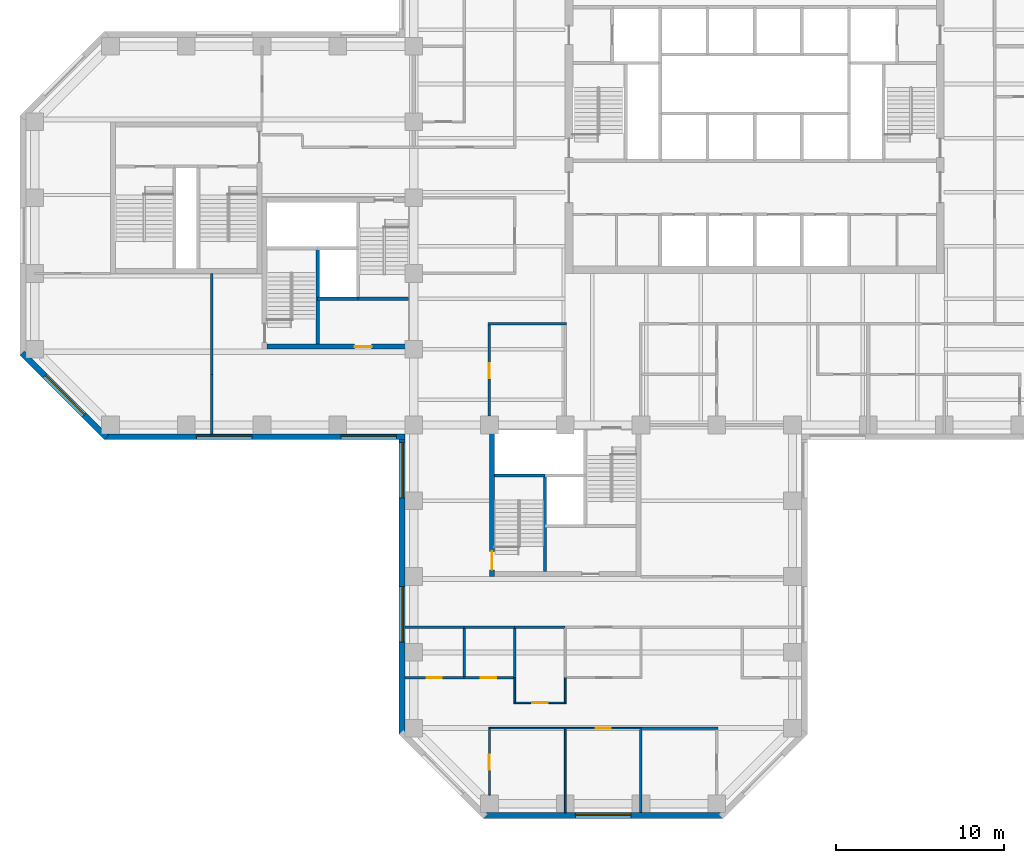
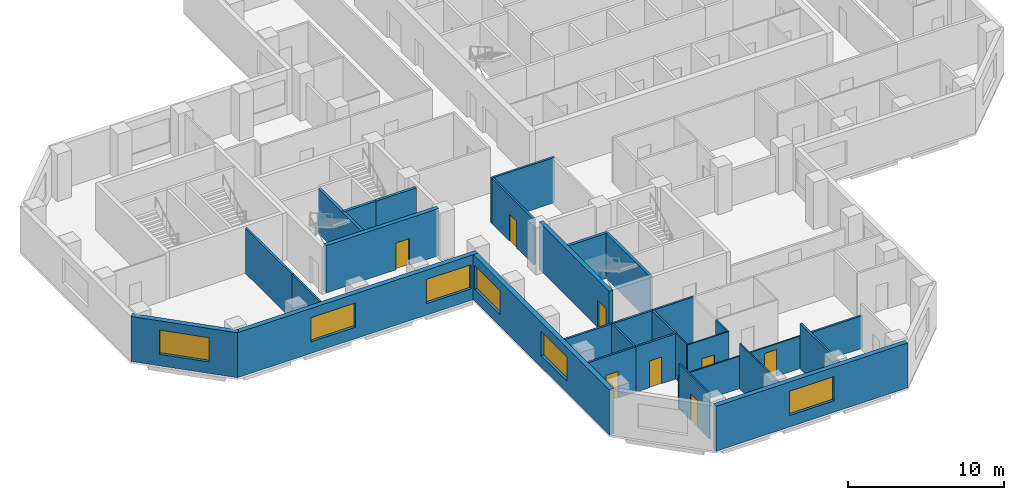
# One storey, part 3 of 11: 31 walls, 8 doors, 6 windows, 14 openings.
"""IFC4 building model written with IfcOpenShell, lengths in metres."""

from ifc_helpers import new_model, si_unit, direction, frame, frame_2d, origin, place, context, subcontext, project, spatial, rectangle, extrude, material, layer, layer_set, constituent, constituent_set, type_object, element, fill, save


model = new_model("IFC4")

# Units and contexts
model_context = context("Model", 3, precision=1e-05, world=origin(), true_north=direction((0.0, 1.0)))
body_context = subcontext(model_context, "Body", "Model", "MODEL_VIEW")
ifc_project = project(units=[si_unit("LENGTHUNIT", "METRE"), si_unit("AREAUNIT", "SQUARE_METRE"), si_unit("VOLUMEUNIT", "CUBIC_METRE"), si_unit("PLANEANGLEUNIT", "RADIAN"), si_unit("MASSUNIT", "GRAM", prefix="KILO")], contexts=[model_context])

# Site, building, storey
site_placement = place(None, origin())
site = spatial("IfcSite", under=ifc_project, at=site_placement, CompositionType="ELEMENT")
building_placement = place(site_placement, origin())
building = spatial("IfcBuilding", under=site, at=building_placement, Name="Quoin Convention Tower", CompositionType="ELEMENT")
storey_placement = place(building_placement, frame((0.0, 0.0, 130.699951171875)))
storey = spatial("IfcBuildingStorey", under=building, at=storey_placement, Name="L34", CompositionType="ELEMENT", Elevation=130.699951171875)

# Walls
ifc_material_1 = material(Name="Plasterboard")
ifc_layer_1 = layer(ifc_material_1, 0.012451171875, Name="Finish")
ifc_material_2 = material(Name="Steel stud framing", Category="steel")
ifc_layer_2 = layer(ifc_material_2, 0.125, Name="Structure")
ifc_layer_3 = layer(ifc_material_1, 0.012451171875, Name="Finish")
ifc_layer_set_1 = layer_set([ifc_layer_1, ifc_layer_2, ifc_layer_3], Name="Steel stud framing")
wall_type_1 = type_object("IfcWallType", Name="Acoustic partition 150", PredefinedType="PARTITIONING", material=ifc_layer_set_1)
wall_1_placement = place(storey_placement, frame((49.5, 17.47509765625, 0.0), z_axis=(0.0, 0.0, 1.0), x_axis=(0.0, 1.0, 0.0)))
element("IfcWall", 1, at=wall_1_placement, inside=storey, type_object=wall_type_1, Name="pw-L34-059", PredefinedType="PARTITIONING", context=body_context, shape_type="SweptSolid", body=[
    extrude(rectangle(XDim=4.949951171875, YDim=0.14990234375, at=frame_2d((2.47509765625, 0.0))), origin(), (0.0, 0.0, 1.0), 3.550048828125),
])
ifc_layer_4 = layer(ifc_material_1, 0.012451171875, Name="Finish")
ifc_layer_5 = layer(ifc_material_2, 0.125, Name="Structure")
ifc_layer_6 = layer(ifc_material_1, 0.012451171875, Name="Finish")
ifc_layer_set_2 = layer_set([ifc_layer_4, ifc_layer_5, ifc_layer_6], Name="Steel stud framing")
wall_type_2 = type_object("IfcWallType", Name="Acoustic partition 150 under beam 1000", PredefinedType="PARTITIONING", material=ifc_layer_set_2)
wall_2_placement = place(storey_placement, frame((49.5, 22.5, 0.0), z_axis=(0.0, 0.0, 1.0), x_axis=(1.0, 0.0, 0.0)))
element("IfcWall", 2, at=wall_2_placement, inside=storey, type_object=wall_type_2, Name="pw-L34-003", PredefinedType="PARTITIONING", context=body_context, shape_type="SweptSolid", body=[
    extrude(rectangle(XDim=4.574951171875, YDim=0.14990234375, at=frame_2d((2.28759765625, 0.0))), origin(), (0.0, 0.0, 1.0), 2.550048828125),
])

# Wall, opening, window
ifc_material_3 = material(Name="Brick masonry", Category="masonry")
ifc_layer_7 = layer(ifc_material_3, 0.35009765625)
ifc_layer_set_3 = layer_set([ifc_layer_7], Name="Brick masonry")
wall_type_3 = type_object("IfcWallType", Name="Brick facade wall", PredefinedType="STANDARD", material=ifc_layer_set_3)
wall_3_placement = place(storey_placement, frame((12.748779296875, 44.76123046875, 0.0), z_axis=(0.0, 0.0, 1.0), x_axis=(0.707106781187, -0.707106781187, 0.0)))
wall_3 = element("IfcWall", 3, at=wall_3_placement, inside=storey, type_object=wall_type_3, Name="fw-L34-13500_45000", PredefinedType="STANDARD", context=body_context, shape_type="SweptSolid", body=[
    extrude(rectangle(XDim=7.088623046875, YDim=0.35009765625, at=frame_2d((3.54443359375, 0.0))), origin(), (0.0, 0.0, 1.0), 3.525146484375),
])
opening_1_placement = place(wall_3_placement, frame((1.894287109375, 0.0, 0.89990234375)))
opening_1 = element("IfcOpeningElement", 4, at=opening_1_placement, cuts=wall_3, Name="Opening W-02", PredefinedType="OPENING", context=body_context, shape_type="SweptSolid", body=[
    extrude(rectangle(XDim=3.300048828125, YDim=1.89990234375, at=frame_2d((1.64990234375, 0.949951171875))), frame((0.0, 0.18505859375, 0.0), z_axis=(0.0, -1.0, 0.0), x_axis=(1.0, 0.0, 0.0)), (0.0, 0.0, 1.0), 0.3701171875),
])
ifc_material_4 = material(Name="Aluminium", Category="aluminium")
ifc_constituent_1 = constituent(ifc_material_4, Name="Frame")
ifc_material_5 = material(Name="Insulated glass", Category="glass")
ifc_constituent_2 = constituent(ifc_material_5, Name="Glazing")
ifc_constituent_set = constituent_set(constituents=[ifc_constituent_1, ifc_constituent_2], Name="Aluminium")
window_type = type_object("IfcWindowType", Name="Office window", PartitioningType="DOUBLE_PANEL_VERTICAL", PredefinedType="WINDOW", material=ifc_constituent_set)
window_1_placement = place(opening_1_placement, origin())
window_1 = element("IfcWindow", 5, at=window_1_placement, inside=storey, type_object=window_type, Name="win-L34-15255_42255", OverallHeight=1.89990234375, OverallWidth=3.300048828125, PartitioningType="SINGLE_PANEL", PredefinedType="WINDOW", context=body_context, shape_type="SweptSolid", body=[
    extrude(rectangle(XDim=3.300048828125, YDim=1.89990234375, at=frame_2d((1.64990234375, 0.949951171875))), frame((0.0, 0.0849609375, 0.0), z_axis=(0.0, -1.0, 0.0), x_axis=(1.0, 0.0, 0.0)), (0.0, 0.0, 1.0), 0.06005859375),
])
fill(opening_1, window_1)

# Wall, openings, windows
wall_4_placement = place(storey_placement, frame((17.6376953125, 39.800048828125, 0.0), z_axis=(0.0, 0.0, 1.0), x_axis=(1.0, 0.0, 0.0)))
wall_4 = element("IfcWall", 6, at=wall_4_placement, inside=storey, type_object=wall_type_3, Name="fw-L34-18000_40500", PredefinedType="STANDARD", context=body_context, shape_type="SweptSolid", body=[
    extrude(rectangle(XDim=17.83740234375, YDim=0.35009765625, at=frame_2d((8.918701171875, 0.0))), origin(), (0.0, 0.0, 1.0), 3.525146484375),
])
opening_2_placement = place(wall_4_placement, frame((5.46240234375, 0.0, 0.89990234375)))
opening_2 = element("IfcOpeningElement", 7, at=opening_2_placement, cuts=wall_4, Name="Opening W-02", PredefinedType="OPENING", context=body_context, shape_type="SweptSolid", body=[
    extrude(rectangle(XDim=3.300048828125, YDim=1.89990234375, at=frame_2d((1.64990234375, 0.949951171875))), frame((0.0, 0.18505859375, 0.0), z_axis=(0.0, -1.0, 0.0), x_axis=(1.0, 0.0, 0.0)), (0.0, 0.0, 1.0), 0.3701171875),
])
opening_3_placement = place(wall_4_placement, frame((14.037353515625, 0.0, 0.89990234375)))
opening_3 = element("IfcOpeningElement", 8, at=opening_3_placement, cuts=wall_4, Name="Opening W-02", PredefinedType="OPENING", context=body_context, shape_type="SweptSolid", body=[
    extrude(rectangle(XDim=3.300048828125, YDim=1.89990234375, at=frame_2d((1.64990234375, 0.949951171875))), frame((0.0, 0.18505859375, 0.0), z_axis=(0.0, -1.0, 0.0), x_axis=(1.0, 0.0, 0.0)), (0.0, 0.0, 1.0), 0.3701171875),
])
window_2_placement = place(opening_2_placement, origin())
window_2 = element("IfcWindow", 9, at=window_2_placement, inside=storey, type_object=window_type, Name="win-L34-24750_39800", OverallHeight=1.89990234375, OverallWidth=3.300048828125, PartitioningType="SINGLE_PANEL", PredefinedType="WINDOW", context=body_context, shape_type="SweptSolid", body=[
    extrude(rectangle(XDim=3.300048828125, YDim=1.89990234375, at=frame_2d((1.64990234375, 0.949951171875))), frame((0.0, 0.0849609375, 0.0), z_axis=(0.0, -1.0, 0.0), x_axis=(1.0, 0.0, 0.0)), (0.0, 0.0, 1.0), 0.06005859375),
])
fill(opening_2, window_2)
window_3_placement = place(opening_3_placement, origin())
window_3 = element("IfcWindow", 10, at=window_3_placement, inside=storey, type_object=window_type, Name="win-L34-33750_39800", OverallHeight=1.89990234375, OverallWidth=3.300048828125, PartitioningType="SINGLE_PANEL", PredefinedType="WINDOW", context=body_context, shape_type="SweptSolid", body=[
    extrude(rectangle(XDim=3.300048828125, YDim=1.89990234375, at=frame_2d((1.64990234375, 0.949951171875))), frame((0.0, 0.0849609375, 0.0), z_axis=(0.0, -1.0, 0.0), x_axis=(1.0, 0.0, 0.0)), (0.0, 0.0, 1.0), 0.06005859375),
])
fill(opening_3, window_3)

wall_5_placement = place(storey_placement, frame((35.300048828125, 39.97509765625, 0.0), z_axis=(0.0, 0.0, 1.0), x_axis=(0.0, -1.0, 0.0)))
wall_5 = element("IfcWall", 11, at=wall_5_placement, inside=storey, type_object=wall_type_3, Name="fw-L34-36000_40500", PredefinedType="STANDARD", context=body_context, shape_type="SweptSolid", body=[
    extrude(rectangle(XDim=17.83740234375, YDim=0.35009765625, at=frame_2d((8.918701171875, 0.0))), origin(), (0.0, 0.0, 1.0), 3.525146484375),
])
opening_4_placement = place(wall_5_placement, frame((0.5, 0.0, 0.89990234375)))
opening_4 = element("IfcOpeningElement", 12, at=opening_4_placement, cuts=wall_5, Name="Opening W-02", PredefinedType="OPENING", context=body_context, shape_type="SweptSolid", body=[
    extrude(rectangle(XDim=3.300048828125, YDim=1.89990234375, at=frame_2d((1.64990234375, 0.949951171875))), frame((0.0, 0.18505859375, 0.0), z_axis=(0.0, -1.0, 0.0), x_axis=(1.0, 0.0, 0.0)), (0.0, 0.0, 1.0), 0.3701171875),
])
opening_5_placement = place(wall_5_placement, frame((9.074951171875, 0.0, 0.89990234375)))
opening_5 = element("IfcOpeningElement", 13, at=opening_5_placement, cuts=wall_5, Name="Opening W-02", PredefinedType="OPENING", context=body_context, shape_type="SweptSolid", body=[
    extrude(rectangle(XDim=3.300048828125, YDim=1.89990234375, at=frame_2d((1.64990234375, 0.949951171875))), frame((0.0, 0.18505859375, 0.0), z_axis=(0.0, -1.0, 0.0), x_axis=(1.0, 0.0, 0.0)), (0.0, 0.0, 1.0), 0.3701171875),
])
window_4_placement = place(opening_4_placement, origin())
window_4 = element("IfcWindow", 14, at=window_4_placement, inside=storey, type_object=window_type, Name="win-L34-35300_38250", OverallHeight=1.89990234375, OverallWidth=3.300048828125, PartitioningType="SINGLE_PANEL", PredefinedType="WINDOW", context=body_context, shape_type="SweptSolid", body=[
    extrude(rectangle(XDim=3.300048828125, YDim=1.89990234375, at=frame_2d((1.64990234375, 0.949951171875))), frame((0.0, 0.0849609375, 0.0), z_axis=(0.0, -1.0, 0.0), x_axis=(1.0, 0.0, 0.0)), (0.0, 0.0, 1.0), 0.06005859375),
])
fill(opening_4, window_4)
window_5_placement = place(opening_5_placement, origin())
window_5 = element("IfcWindow", 15, at=window_5_placement, inside=storey, type_object=window_type, Name="win-L34-35300_29250", OverallHeight=1.89990234375, OverallWidth=3.300048828125, PartitioningType="SINGLE_PANEL", PredefinedType="WINDOW", context=body_context, shape_type="SweptSolid", body=[
    extrude(rectangle(XDim=3.300048828125, YDim=1.89990234375, at=frame_2d((1.64990234375, 0.949951171875))), frame((0.0, 0.0849609375, 0.0), z_axis=(0.0, -1.0, 0.0), x_axis=(1.0, 0.0, 0.0)), (0.0, 0.0, 1.0), 0.06005859375),
])
fill(opening_5, window_5)

# Wall, opening, window
wall_6_placement = place(storey_placement, frame((40.1376953125, 17.300048828125, 0.0), z_axis=(0.0, 0.0, 1.0), x_axis=(1.0, 0.0, 0.0)))
wall_6 = element("IfcWall", 16, at=wall_6_placement, inside=storey, type_object=wall_type_3, Name="fw-L34-40500_18000", PredefinedType="STANDARD", context=body_context, shape_type="SweptSolid", body=[
    extrude(rectangle(XDim=14.224609375, YDim=0.35009765625, at=frame_2d((7.1123046875, 0.0))), origin(), (0.0, 0.0, 1.0), 3.525146484375),
])
opening_6_placement = place(wall_6_placement, frame((5.46240234375, 0.0, 0.89990234375)))
opening_6 = element("IfcOpeningElement", 17, at=opening_6_placement, cuts=wall_6, Name="Opening W-02", PredefinedType="OPENING", context=body_context, shape_type="SweptSolid", body=[
    extrude(rectangle(XDim=3.300048828125, YDim=1.89990234375, at=frame_2d((1.64990234375, 0.949951171875))), frame((0.0, 0.18505859375, 0.0), z_axis=(0.0, -1.0, 0.0), x_axis=(1.0, 0.0, 0.0)), (0.0, 0.0, 1.0), 0.3701171875),
])
window_6_placement = place(opening_6_placement, origin())
window_6 = element("IfcWindow", 18, at=window_6_placement, inside=storey, type_object=window_type, Name="win-L34-47250_17300", OverallHeight=1.89990234375, OverallWidth=3.300048828125, PartitioningType="SINGLE_PANEL", PredefinedType="WINDOW", context=body_context, shape_type="SweptSolid", body=[
    extrude(rectangle(XDim=3.300048828125, YDim=1.89990234375, at=frame_2d((1.64990234375, 0.949951171875))), frame((0.0, 0.0849609375, 0.0), z_axis=(0.0, -1.0, 0.0), x_axis=(1.0, 0.0, 0.0)), (0.0, 0.0, 1.0), 0.06005859375),
])
fill(opening_6, window_6)

# Walls
ifc_material_6 = material(Name="Concrete C50", Category="concrete")
ifc_layer_8 = layer(ifc_material_6, 0.199951171875)
ifc_layer_set_4 = layer_set([ifc_layer_8], Name="Concrete C50")
wall_type_4 = type_object("IfcWallType", Name="Core shaft wall", PredefinedType="SOLIDWALL", material=ifc_layer_set_4)
wall_7_placement = place(storey_placement, frame((30.300048828125, 48.0, 0.0), z_axis=(0.0, 0.0, 1.0), x_axis=(1.0, 0.0, 0.0)))
element("IfcWall", 19, at=wall_7_placement, inside=storey, type_object=wall_type_4, Name="cr-P2-L34-h3000_3300", PredefinedType="SOLIDWALL", context=body_context, shape_type="SweptSolid", body=[
    extrude(rectangle(XDim=2.39990234375, YDim=0.199951171875, at=frame_2d((1.199951171875, 0.0))), origin(), (0.0, 0.0, 1.0), 3.550048828125),
])
wall_8_placement = place(storey_placement, frame((32.699951171875, 48.0, 0.0), z_axis=(0.0, 0.0, 1.0), x_axis=(1.0, 0.0, 0.0)))
element("IfcWall", 20, at=wall_8_placement, inside=storey, type_object=wall_type_4, Name="cr-P2-L34-h3000_5700", PredefinedType="SOLIDWALL", context=body_context, shape_type="SweptSolid", body=[
    extrude(rectangle(XDim=3.0, YDim=0.199951171875, at=frame_2d((1.5, 0.0))), origin(), (0.0, 0.0, 1.0), 3.550048828125),
])
wall_9_placement = place(storey_placement, frame((30.300048828125, 45.300048828125, 0.0), z_axis=(0.0, 0.0, 1.0), x_axis=(0.0, 1.0, 0.0)))
element("IfcWall", 21, at=wall_9_placement, inside=storey, type_object=wall_type_4, Name="cr-P2-L34-v3300_300", PredefinedType="SOLIDWALL", context=body_context, shape_type="SweptSolid", body=[
    extrude(rectangle(XDim=5.699951171875, YDim=0.199951171875, at=frame_2d((2.85009765625, 0.0))), origin(), (0.0, 0.0, 1.0), 3.550048828125),
])
wall_10_placement = place(storey_placement, frame((40.800048828125, 37.5, 0.0), z_axis=(0.0, 0.0, 1.0), x_axis=(1.0, 0.0, 0.0)))
element("IfcWall", 22, at=wall_10_placement, inside=storey, type_object=wall_type_4, Name="cr-P3-L34-h6000_300", PredefinedType="SOLIDWALL", context=body_context, shape_type="SweptSolid", body=[
    extrude(rectangle(XDim=3.0, YDim=0.199951171875, at=frame_2d((1.5, 0.0))), origin(), (0.0, 0.0, 1.0), 3.550048828125),
])
wall_11_placement = place(storey_placement, frame((43.800048828125, 31.800048828125, 0.0), z_axis=(0.0, 0.0, 1.0), x_axis=(0.0, 1.0, 0.0)))
element("IfcWall", 23, at=wall_11_placement, inside=storey, type_object=wall_type_4, Name="cr-P3-L34-v3300_300", PredefinedType="SOLIDWALL", context=body_context, shape_type="SweptSolid", body=[
    extrude(rectangle(XDim=5.699951171875, YDim=0.199951171875, at=frame_2d((2.85009765625, 0.0))), origin(), (0.0, 0.0, 1.0), 3.550048828125),
])
ifc_layer_9 = layer(ifc_material_1, 0.012451171875, Name="Finish")
ifc_layer_10 = layer(ifc_material_2, 0.125, Name="Structure")
ifc_layer_11 = layer(ifc_material_1, 0.012451171875, Name="Finish")
ifc_layer_set_5 = layer_set([ifc_layer_9, ifc_layer_10, ifc_layer_11], Name="Steel stud framing")
wall_type_5 = type_object("IfcWallType", Name="Corridor wall 150", PredefinedType="PARTITIONING", material=ifc_layer_set_5)
wall_12_placement = place(storey_placement, frame((35.47509765625, 28.5, 0.0), z_axis=(0.0, 0.0, 1.0), x_axis=(1.0, 0.0, 0.0)))
element("IfcWall", 24, at=wall_12_placement, inside=storey, type_object=wall_type_5, Name="pw-L34-009", PredefinedType="PARTITIONING", context=body_context, shape_type="SweptSolid", body=[
    extrude(rectangle(XDim=3.52490234375, YDim=0.14990234375, at=frame_2d((1.762451171875, 0.0))), origin(), (0.0, 0.0, 1.0), 3.550048828125),
])
for number, where, z_axis, x_axis, name in (
    (25, (39.0, 28.5, 0.0), (0.0, 0.0, 1.0), (1.0, 0.0, 0.0), "pw-L34-010"),
    (26, (42.0, 28.5, 0.0), (0.0, 0.0, 1.0), (1.0, 0.0, 0.0), "pw-L34-011"),
):
    element("IfcWall", number, at=place(storey_placement, frame(where, z_axis=z_axis, x_axis=x_axis)), inside=storey, type_object=wall_type_5, Name=name, PredefinedType="PARTITIONING", context=body_context, shape_type="SweptSolid", body=[
        extrude(rectangle(XDim=3.0, YDim=0.14990234375, at=frame_2d((1.5, 0.0))), origin(), (0.0, 0.0, 1.0), 3.550048828125),
    ])
wall_13_placement = place(storey_placement, frame((40.425048828125, 46.5, 0.0), z_axis=(0.0, 0.0, 1.0), x_axis=(1.0, 0.0, 0.0)))
element("IfcWall", 27, at=wall_13_placement, inside=storey, type_object=wall_type_5, Name="pw-L34-023", PredefinedType="PARTITIONING", context=body_context, shape_type="SweptSolid", body=[
    extrude(rectangle(XDim=4.64990234375, YDim=0.14990234375, at=frame_2d((2.324951171875, 0.0))), origin(), (0.0, 0.0, 1.0), 3.550048828125),
])
wall_14_placement = place(storey_placement, frame((24.0, 39.97509765625, 0.0), z_axis=(0.0, 0.0, 1.0), x_axis=(0.0, 1.0, 0.0)))
element("IfcWall", 28, at=wall_14_placement, inside=storey, type_object=wall_type_5, Name="pw-L34-070", PredefinedType="PARTITIONING", context=body_context, shape_type="SweptSolid", body=[
    extrude(rectangle(XDim=3.52490234375, YDim=0.14990234375, at=frame_2d((1.762451171875, 0.0))), origin(), (0.0, 0.0, 1.0), 3.550048828125),
])

# Wall, opening, door
wall_15_placement = place(storey_placement, frame((40.5, 41.02490234375, 0.0), z_axis=(0.0, 0.0, 1.0), x_axis=(0.0, 1.0, 0.0)))
wall_15 = element("IfcWall", 29, at=wall_15_placement, inside=storey, type_object=wall_type_5, Name="pw-L34-073", PredefinedType="PARTITIONING", context=body_context, shape_type="SweptSolid", body=[
    extrude(rectangle(XDim=5.400146484375, YDim=0.14990234375, at=frame_2d((2.7001953125, 0.0))), origin(), (0.0, 0.0, 1.0), 3.550048828125),
])
opening_7_placement = place(wall_15_placement, frame((2.25, 0.0, 0.0)))
opening_7 = element("IfcOpeningElement", 30, at=opening_7_placement, cuts=wall_15, Name="Opening DOL7-27", PredefinedType="OPENING", context=body_context, shape_type="SweptSolid", body=[
    extrude(rectangle(XDim=0.89990234375, YDim=2.10009765625, at=frame_2d((0.449951171875, 1.050048828125))), frame((0.0, 0.0849609375, 0.0), z_axis=(0.0, -1.0, 0.0), x_axis=(1.0, 0.0, 0.0)), (0.0, 0.0, 1.0), 0.169921875),
])
ifc_material_7 = material(Name="Steel door leaf", Category="steel")
door_type_1 = type_object("IfcDoorType", Name="Office door 900 x 2100", OperationType="SINGLE_SWING_RIGHT", PredefinedType="DOOR", material=ifc_material_7)
door_1_placement = place(opening_7_placement, frame((0.89990234375, 0.0, 0.0), z_axis=(0.0, 0.0, 1.0), x_axis=(-1.0, 0.0, 0.0)))
door_1 = element("IfcDoor", 31, at=door_1_placement, inside=storey, type_object=door_type_1, Name="dr-L34-02", OperationType="SINGLE_SWING_LEFT", OverallHeight=2.10009765625, OverallWidth=0.89990234375, PredefinedType="DOOR", context=body_context, shape_type="SweptSolid", body=[
    extrude(rectangle(XDim=0.89990234375, YDim=2.10009765625, at=frame_2d((0.449951171875, 1.050048828125))), frame((0.0, 0.02490234375, 0.0), z_axis=(0.0, -1.0, 0.0), x_axis=(1.0, 0.0, 0.0)), (0.0, 0.0, 1.0), 0.050048828125),
])
fill(opening_7, door_1)

# Wall
wall_16_placement = place(storey_placement, frame((24.0, 43.5, 0.0), z_axis=(0.0, 0.0, 1.0), x_axis=(0.0, 1.0, 0.0)))
element("IfcWall", 32, at=wall_16_placement, inside=storey, type_object=wall_type_5, Name="pw-L34-078", PredefinedType="PARTITIONING", context=body_context, shape_type="SweptSolid", body=[
    extrude(rectangle(XDim=6.0, YDim=0.14990234375, at=frame_2d((3.0, 0.0))), origin(), (0.0, 0.0, 1.0), 3.550048828125),
])

# Wall, opening, door
ifc_material_8 = material(Name="Concrete C65", Category="concrete")
ifc_layer_12 = layer(ifc_material_8, 0.300048828125)
ifc_layer_set_6 = layer_set([ifc_layer_12], Name="Concrete C65")
wall_type_6 = type_object("IfcWallType", Name="RC CORE WALL 300 C65", PredefinedType="SHEAR", material=ifc_layer_set_6)
wall_17_placement = place(storey_placement, frame((27.300048828125, 45.14990234375, 0.0), z_axis=(0.0, 0.0, 1.0), x_axis=(1.0, 0.0, 0.0)))
wall_17 = element("IfcWall", 33, at=wall_17_placement, inside=storey, type_object=wall_type_6, Name="cwl-P2-L34-S", PredefinedType="SHEAR", context=body_context, shape_type="SweptSolid", body=[
    extrude(rectangle(XDim=8.39990234375, YDim=0.300048828125, at=frame_2d((4.199951171875, 0.0))), origin(), (0.0, 0.0, 1.0), 3.699951171875),
])
opening_8_placement = place(wall_17_placement, frame((5.199951171875, 0.0, 0.0)))
opening_8 = element("IfcOpeningElement", 34, at=opening_8_placement, cuts=wall_17, Name="Opening DCV0-60", PredefinedType="OPENING", context=body_context, shape_type="SweptSolid", body=[
    extrude(rectangle(XDim=1.0, YDim=2.10009765625, at=frame_2d((0.5, 1.050048828125))), frame((0.0, 0.159912109375, 0.0), z_axis=(0.0, -1.0, 0.0), x_axis=(1.0, 0.0, 0.0)), (0.0, 0.0, 1.0), 0.320068359375),
])
door_type_2 = type_object("IfcDoorType", Name="Service door 1000 x 2100", OperationType="SINGLE_SWING_LEFT", PredefinedType="DOOR", material=ifc_material_7)
door_2_placement = place(opening_8_placement, origin())
door_2 = element("IfcDoor", 35, at=door_2_placement, inside=storey, type_object=door_type_2, Name="cd-P2-L34-R2-S", OperationType="SINGLE_SWING_LEFT", OverallHeight=2.10009765625, OverallWidth=1.0, PredefinedType="DOOR", context=body_context, shape_type="SweptSolid", body=[
    extrude(rectangle(XDim=1.0, YDim=2.10009765625, at=frame_2d((0.5, 1.050048828125))), frame((0.0, 0.02490234375, 0.0), z_axis=(0.0, -1.0, 0.0), x_axis=(1.0, 0.0, 0.0)), (0.0, 0.0, 1.0), 0.050048828125),
])
fill(opening_8, door_2)

wall_18_placement = place(storey_placement, frame((40.64990234375, 31.5, 0.0), z_axis=(0.0, 0.0, 1.0), x_axis=(0.0, 1.0, 0.0)))
wall_18 = element("IfcWall", 36, at=wall_18_placement, inside=storey, type_object=wall_type_6, Name="cwl-P3-L34-W", PredefinedType="SHEAR", context=body_context, shape_type="SweptSolid", body=[
    extrude(rectangle(XDim=9.0, YDim=0.300048828125, at=frame_2d((4.5, 0.0))), origin(), (0.0, 0.0, 1.0), 3.699951171875),
])
opening_9_placement = place(wall_18_placement, frame((0.39990234375, 0.0, 0.0)))
opening_9 = element("IfcOpeningElement", 37, at=opening_9_placement, cuts=wall_18, Name="Opening SD5", PredefinedType="OPENING", context=body_context, shape_type="SweptSolid", body=[
    extrude(rectangle(XDim=1.10009765625, YDim=2.10009765625, at=frame_2d((0.550048828125, 1.050048828125))), frame((0.0, 0.159912109375, 0.0), z_axis=(0.0, -1.0, 0.0), x_axis=(1.0, 0.0, 0.0)), (0.0, 0.0, 1.0), 0.320068359375),
])
door_type_3 = type_object("IfcDoorType", Name="Stair door 1100 x 2100", OperationType="SINGLE_SWING_RIGHT", PredefinedType="DOOR", material=ifc_material_7)
door_3_placement = place(opening_9_placement, frame((1.10009765625, 0.0, 0.0), z_axis=(0.0, 0.0, 1.0), x_axis=(-1.0, 0.0, 0.0)))
door_3 = element("IfcDoor", 38, at=door_3_placement, inside=storey, type_object=door_type_3, Name="cd-P3-L34-SA-W", OperationType="SINGLE_SWING_RIGHT", OverallHeight=2.10009765625, OverallWidth=1.10009765625, PredefinedType="DOOR", context=body_context, shape_type="SweptSolid", body=[
    extrude(rectangle(XDim=1.10009765625, YDim=2.10009765625, at=frame_2d((0.550048828125, 1.050048828125))), frame((0.0, 0.02490234375, 0.0), z_axis=(0.0, -1.0, 0.0), x_axis=(1.0, 0.0, 0.0)), (0.0, 0.0, 1.0), 0.050048828125),
])
fill(opening_9, door_3)

ifc_layer_13 = layer(ifc_material_1, 0.012451171875, Name="Finish")
ifc_layer_14 = layer(ifc_material_2, 0.074951171875, Name="Structure")
ifc_layer_15 = layer(ifc_material_1, 0.012451171875, Name="Finish")
ifc_layer_set_7 = layer_set([ifc_layer_13, ifc_layer_14, ifc_layer_15], Name="Steel stud framing")
wall_type_7 = type_object("IfcWallType", Name="Stud partition 100", PredefinedType="PARTITIONING", material=ifc_layer_set_7)
wall_19_placement = place(storey_placement, frame((41.949951171875, 24.0, 0.0), z_axis=(0.0, 0.0, 1.0), x_axis=(1.0, 0.0, 0.0)))
wall_19 = element("IfcWall", 39, at=wall_19_placement, inside=storey, type_object=wall_type_7, Name="pw-L34-004", PredefinedType="PARTITIONING", context=body_context, shape_type="SweptSolid", body=[
    extrude(rectangle(XDim=3.10009765625, YDim=0.10009765625, at=frame_2d((1.550048828125, 0.0))), origin(), (0.0, 0.0, 1.0), 3.550048828125),
])
opening_10_placement = place(wall_19_placement, frame((1.10009765625, 0.0, 0.0)))
opening_10 = element("IfcOpeningElement", 40, at=opening_10_placement, cuts=wall_19, Name="Opening DOL7-02", PredefinedType="OPENING", context=body_context, shape_type="SweptSolid", body=[
    extrude(rectangle(XDim=0.89990234375, YDim=2.10009765625, at=frame_2d((0.449951171875, 1.050048828125))), frame((0.0, 0.06005859375, 0.0), z_axis=(0.0, -1.0, 0.0), x_axis=(1.0, 0.0, 0.0)), (0.0, 0.0, 1.0), 0.1201171875),
])
door_4_placement = place(opening_10_placement, frame((0.89990234375, 0.0, 0.0), z_axis=(0.0, 0.0, 1.0), x_axis=(-1.0, 0.0, 0.0)))
door_4 = element("IfcDoor", 41, at=door_4_placement, inside=storey, type_object=door_type_1, Name="dr-L34-15", OperationType="SINGLE_SWING_LEFT", OverallHeight=2.10009765625, OverallWidth=0.89990234375, PredefinedType="DOOR", context=body_context, shape_type="SweptSolid", body=[
    extrude(rectangle(XDim=0.89990234375, YDim=2.10009765625, at=frame_2d((0.449951171875, 1.050048828125))), frame((0.0, 0.02490234375, 0.0), z_axis=(0.0, -1.0, 0.0), x_axis=(1.0, 0.0, 0.0)), (0.0, 0.0, 1.0), 0.050048828125),
])
fill(opening_10, door_4)

# Wall
wall_20_placement = place(storey_placement, frame((45.0, 17.47509765625, 0.0), z_axis=(0.0, 0.0, 1.0), x_axis=(0.0, 1.0, 0.0)))
element("IfcWall", 42, at=wall_20_placement, inside=storey, type_object=wall_type_7, Name="pw-L34-058", PredefinedType="PARTITIONING", context=body_context, shape_type="SweptSolid", body=[
    extrude(rectangle(XDim=4.974853515625, YDim=0.10009765625, at=frame_2d((2.4873046875, 0.0))), origin(), (0.0, 0.0, 1.0), 3.550048828125),
])

# Wall, opening, door
wall_21_placement = place(storey_placement, frame((40.5, 18.52490234375, 0.0), z_axis=(0.0, 0.0, 1.0), x_axis=(0.0, 1.0, 0.0)))
wall_21 = element("IfcWall", 43, at=wall_21_placement, inside=storey, type_object=wall_type_7, Name="pw-L34-060", PredefinedType="PARTITIONING", context=body_context, shape_type="SweptSolid", body=[
    extrude(rectangle(XDim=3.925048828125, YDim=0.10009765625, at=frame_2d((1.96240234375, 0.0))), origin(), (0.0, 0.0, 1.0), 3.550048828125),
])
opening_11_placement = place(wall_21_placement, frame((1.5, 0.0, 0.0)))
opening_11 = element("IfcOpeningElement", 44, at=opening_11_placement, cuts=wall_21, Name="Opening DOL7-25", PredefinedType="OPENING", context=body_context, shape_type="SweptSolid", body=[
    extrude(rectangle(XDim=0.89990234375, YDim=2.10009765625, at=frame_2d((0.449951171875, 1.050048828125))), frame((0.0, 0.06005859375, 0.0), z_axis=(0.0, -1.0, 0.0), x_axis=(1.0, 0.0, 0.0)), (0.0, 0.0, 1.0), 0.1201171875),
])
door_5_placement = place(opening_11_placement, origin())
door_5 = element("IfcDoor", 45, at=door_5_placement, inside=storey, type_object=door_type_1, Name="dr-L34-11", OperationType="SINGLE_SWING_RIGHT", OverallHeight=2.10009765625, OverallWidth=0.89990234375, PredefinedType="DOOR", context=body_context, shape_type="SweptSolid", body=[
    extrude(rectangle(XDim=0.89990234375, YDim=2.10009765625, at=frame_2d((0.449951171875, 1.050048828125))), frame((0.0, 0.02490234375, 0.0), z_axis=(0.0, -1.0, 0.0), x_axis=(1.0, 0.0, 0.0)), (0.0, 0.0, 1.0), 0.050048828125),
])
fill(opening_11, door_5)

# Walls
for number, where, z_axis, x_axis, name in (
    (46, (42.0, 24.050048828125, 0.0), (0.0, 0.0, 1.0), (0.0, 1.0, 0.0), "pw-L34-062"),
    (47, (45.0, 24.050048828125, 0.0), (0.0, 0.0, 1.0), (0.0, 1.0, 0.0), "pw-L34-063"),
):
    element("IfcWall", number, at=place(storey_placement, frame(where, z_axis=z_axis, x_axis=x_axis)), inside=storey, type_object=wall_type_7, Name=name, PredefinedType="PARTITIONING", context=body_context, shape_type="SweptSolid", body=[
        extrude(rectangle(XDim=1.449951171875, YDim=0.10009765625, at=frame_2d((0.72509765625, 0.0))), origin(), (0.0, 0.0, 1.0), 3.550048828125),
    ])
ifc_layer_16 = layer(ifc_material_1, 0.012451171875, Name="Finish")
ifc_layer_17 = layer(ifc_material_2, 0.074951171875, Name="Structure")
ifc_layer_18 = layer(ifc_material_1, 0.012451171875, Name="Finish")
ifc_layer_set_8 = layer_set([ifc_layer_16, ifc_layer_17, ifc_layer_18], Name="Steel stud framing")
wall_type_8 = type_object("IfcWallType", Name="Stud partition 100 under beam 1000", PredefinedType="PARTITIONING", material=ifc_layer_set_8)
wall_22_placement = place(storey_placement, frame((40.449951171875, 22.5, 0.0), z_axis=(0.0, 0.0, 1.0), x_axis=(1.0, 0.0, 0.0)))
element("IfcWall", 48, at=wall_22_placement, inside=storey, type_object=wall_type_8, Name="pw-L34-001", PredefinedType="PARTITIONING", context=body_context, shape_type="SweptSolid", body=[
    extrude(rectangle(XDim=4.550048828125, YDim=0.10009765625, at=frame_2d((2.27490234375, 0.0))), origin(), (0.0, 0.0, 1.0), 2.550048828125),
])

# Wall, opening, door
wall_23_placement = place(storey_placement, frame((45.0, 22.5, 0.0), z_axis=(0.0, 0.0, 1.0), x_axis=(1.0, 0.0, 0.0)))
wall_23 = element("IfcWall", 49, at=wall_23_placement, inside=storey, type_object=wall_type_8, Name="pw-L34-002", PredefinedType="PARTITIONING", context=body_context, shape_type="SweptSolid", body=[
    extrude(rectangle(XDim=4.5, YDim=0.10009765625, at=frame_2d((2.25, 0.0))), origin(), (0.0, 0.0, 1.0), 2.550048828125),
])
opening_12_placement = place(wall_23_placement, frame((1.800048828125, 0.0, 0.0)))
opening_12 = element("IfcOpeningElement", 50, at=opening_12_placement, cuts=wall_23, Name="Opening DOL7-01", PredefinedType="OPENING", context=body_context, shape_type="SweptSolid", body=[
    extrude(rectangle(XDim=0.89990234375, YDim=2.10009765625, at=frame_2d((0.449951171875, 1.050048828125))), frame((0.0, 0.06005859375, 0.0), z_axis=(0.0, -1.0, 0.0), x_axis=(1.0, 0.0, 0.0)), (0.0, 0.0, 1.0), 0.1201171875),
])
door_6_placement = place(opening_12_placement, origin())
door_6 = element("IfcDoor", 51, at=door_6_placement, inside=storey, type_object=door_type_1, Name="dr-L34-12", OperationType="SINGLE_SWING_RIGHT", OverallHeight=2.10009765625, OverallWidth=0.89990234375, PredefinedType="DOOR", context=body_context, shape_type="SweptSolid", body=[
    extrude(rectangle(XDim=0.89990234375, YDim=2.10009765625, at=frame_2d((0.449951171875, 1.050048828125))), frame((0.0, 0.02490234375, 0.0), z_axis=(0.0, -1.0, 0.0), x_axis=(1.0, 0.0, 0.0)), (0.0, 0.0, 1.0), 0.050048828125),
])
fill(opening_12, door_6)

ifc_layer_19 = layer(ifc_material_1, 0.012451171875, Name="Finish")
ifc_layer_20 = layer(ifc_material_2, 0.125, Name="Structure")
ifc_layer_21 = layer(ifc_material_1, 0.012451171875, Name="Finish")
ifc_layer_set_9 = layer_set([ifc_layer_19, ifc_layer_20, ifc_layer_21], Name="Steel stud framing")
wall_type_9 = type_object("IfcWallType", Name="Wet area partition 150", PredefinedType="PARTITIONING", material=ifc_layer_set_9)
wall_24_placement = place(storey_placement, frame((35.47509765625, 25.5, 0.0), z_axis=(0.0, 0.0, 1.0), x_axis=(1.0, 0.0, 0.0)))
wall_24 = element("IfcWall", 52, at=wall_24_placement, inside=storey, type_object=wall_type_9, Name="pw-L34-005", PredefinedType="PARTITIONING", context=body_context, shape_type="SweptSolid", body=[
    extrude(rectangle(XDim=3.52490234375, YDim=0.14990234375, at=frame_2d((1.762451171875, 0.0))), origin(), (0.0, 0.0, 1.0), 3.550048828125),
])
opening_13_placement = place(wall_24_placement, frame((1.300048828125, 0.0, 0.0)))
opening_13 = element("IfcOpeningElement", 53, at=opening_13_placement, cuts=wall_24, Name="Opening DOL7-03", PredefinedType="OPENING", context=body_context, shape_type="SweptSolid", body=[
    extrude(rectangle(XDim=0.89990234375, YDim=2.10009765625, at=frame_2d((0.449951171875, 1.050048828125))), frame((0.0, 0.0849609375, 0.0), z_axis=(0.0, -1.0, 0.0), x_axis=(1.0, 0.0, 0.0)), (0.0, 0.0, 1.0), 0.169921875),
])
door_7_placement = place(opening_13_placement, frame((0.89990234375, 0.0, 0.0), z_axis=(0.0, 0.0, 1.0), x_axis=(-1.0, 0.0, 0.0)))
door_7 = element("IfcDoor", 54, at=door_7_placement, inside=storey, type_object=door_type_1, Name="dr-L34-16", OperationType="SINGLE_SWING_LEFT", OverallHeight=2.10009765625, OverallWidth=0.89990234375, PredefinedType="DOOR", context=body_context, shape_type="SweptSolid", body=[
    extrude(rectangle(XDim=0.89990234375, YDim=2.10009765625, at=frame_2d((0.449951171875, 1.050048828125))), frame((0.0, 0.02490234375, 0.0), z_axis=(0.0, -1.0, 0.0), x_axis=(1.0, 0.0, 0.0)), (0.0, 0.0, 1.0), 0.050048828125),
])
fill(opening_13, door_7)

wall_25_placement = place(storey_placement, frame((39.0, 25.5, 0.0), z_axis=(0.0, 0.0, 1.0), x_axis=(1.0, 0.0, 0.0)))
wall_25 = element("IfcWall", 55, at=wall_25_placement, inside=storey, type_object=wall_type_9, Name="pw-L34-006", PredefinedType="PARTITIONING", context=body_context, shape_type="SweptSolid", body=[
    extrude(rectangle(XDim=2.925048828125, YDim=0.14990234375, at=frame_2d((1.46240234375, 0.0))), origin(), (0.0, 0.0, 1.0), 3.550048828125),
])
opening_14_placement = place(wall_25_placement, frame((1.0, 0.0, 0.0)))
opening_14 = element("IfcOpeningElement", 56, at=opening_14_placement, cuts=wall_25, Name="Opening DOL7-04", PredefinedType="OPENING", context=body_context, shape_type="SweptSolid", body=[
    extrude(rectangle(XDim=0.89990234375, YDim=2.10009765625, at=frame_2d((0.449951171875, 1.050048828125))), frame((0.0, 0.0849609375, 0.0), z_axis=(0.0, -1.0, 0.0), x_axis=(1.0, 0.0, 0.0)), (0.0, 0.0, 1.0), 0.169921875),
])
door_8_placement = place(opening_14_placement, frame((0.89990234375, 0.0, 0.0), z_axis=(0.0, 0.0, 1.0), x_axis=(-1.0, 0.0, 0.0)))
door_8 = element("IfcDoor", 57, at=door_8_placement, inside=storey, type_object=door_type_1, Name="dr-L34-10", OperationType="SINGLE_SWING_LEFT", OverallHeight=2.10009765625, OverallWidth=0.89990234375, PredefinedType="DOOR", context=body_context, shape_type="SweptSolid", body=[
    extrude(rectangle(XDim=0.89990234375, YDim=2.10009765625, at=frame_2d((0.449951171875, 1.050048828125))), frame((0.0, 0.02490234375, 0.0), z_axis=(0.0, -1.0, 0.0), x_axis=(1.0, 0.0, 0.0)), (0.0, 0.0, 1.0), 0.050048828125),
])
fill(opening_14, door_8)

# Walls
wall_26_placement = place(storey_placement, frame((42.0, 25.5, 0.0), z_axis=(0.0, 0.0, 1.0), x_axis=(0.0, 1.0, 0.0)))
element("IfcWall", 58, at=wall_26_placement, inside=storey, type_object=wall_type_9, Name="pw-L34-064", PredefinedType="PARTITIONING", context=body_context, shape_type="SweptSolid", body=[
    extrude(rectangle(XDim=2.925048828125, YDim=0.14990234375, at=frame_2d((1.46240234375, 0.0))), origin(), (0.0, 0.0, 1.0), 3.550048828125),
])
wall_27_placement = place(storey_placement, frame((39.0, 25.574951171875, 0.0), z_axis=(0.0, 0.0, 1.0), x_axis=(0.0, 1.0, 0.0)))
element("IfcWall", 59, at=wall_27_placement, inside=storey, type_object=wall_type_9, Name="pw-L34-067", PredefinedType="PARTITIONING", context=body_context, shape_type="SweptSolid", body=[
    extrude(rectangle(XDim=2.85009765625, YDim=0.14990234375, at=frame_2d((1.425048828125, 0.0))), origin(), (0.0, 0.0, 1.0), 3.550048828125),
])

save(model, "model.ifc")
